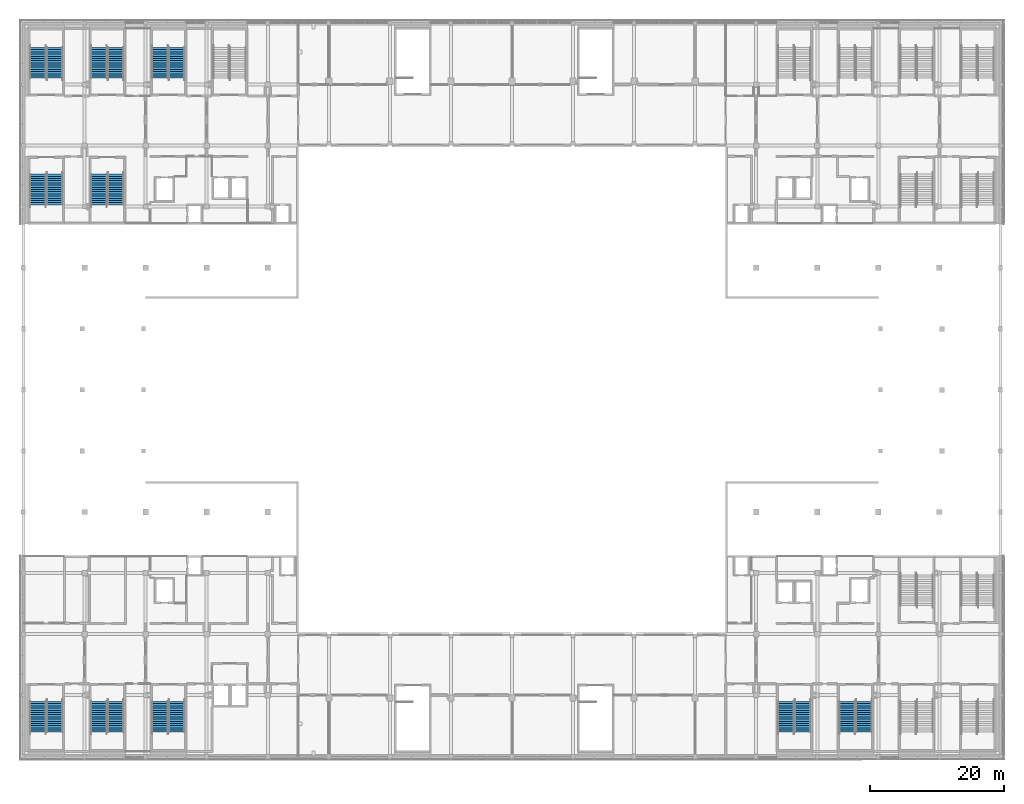
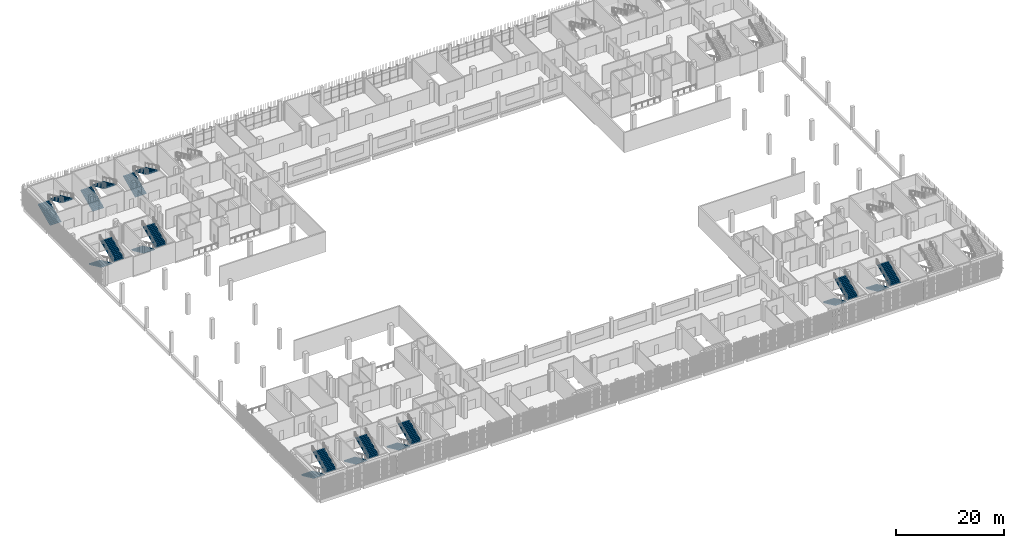
# One storey, part 69 of 104: 20 stair flights, 10 elements without a shape of their own.
"""IFC4 building model written with IfcOpenShell, lengths in metres."""

from ifc_helpers import new_model, si_unit, direction, frame, origin, place, context, subcontext, project, spatial, polyline, outline, extrude, material, type_object, element, aggregate, save


model = new_model("IFC4")

# Units and contexts
model_context = context("Model", 3, precision=1e-05, world=origin(), true_north=direction((0.0, 1.0)))
body_context = subcontext(model_context, "Body", "Model", "MODEL_VIEW")
ifc_project = project(units=[si_unit("LENGTHUNIT", "METRE"), si_unit("AREAUNIT", "SQUARE_METRE"), si_unit("VOLUMEUNIT", "CUBIC_METRE"), si_unit("PLANEANGLEUNIT", "RADIAN"), si_unit("MASSUNIT", "GRAM", prefix="KILO")], contexts=[model_context])

# Site, building, storey
site_placement = place(None, origin())
site = spatial("IfcSite", under=ifc_project, at=site_placement, CompositionType="ELEMENT")
building_placement = place(site_placement, origin())
building = spatial("IfcBuilding", under=site, at=building_placement, Name="Shirokan Park Arena", CompositionType="ELEMENT")
storey_placement = place(building_placement, frame((0.0, 0.0, 10.919921875)))
storey = spatial("IfcBuildingStorey", under=building, at=storey_placement, Name="L02", CompositionType="ELEMENT", Elevation=10.919921875)

# Stair, stair flights
ifc_material = material(Name="Concrete C30 precast", Category="concrete")
stair_type = type_object("IfcStairType", Name="Stair 30 risers 152 x 327 2400 wide", PredefinedType="TWO_STRAIGHT_RUN_STAIR", material=ifc_material)
stair_1_placement = place(storey_placement, origin())
stair_1 = element("IfcStair", 1, at=stair_1_placement, inside=storey, type_object=stair_type, Name="Exit Stair 1.A L02 to L03", PredefinedType="TWO_STRAIGHT_RUN_STAIR")
stair_flight_type = type_object("IfcStairFlightType", Name="Stair flight 15 risers 152 x 327 2400 wide", PredefinedType="STRAIGHT", material=ifc_material)
stair_flight_1_placement = place(storey_placement, frame((2.14990234375, 8.14990234375, 0.0), z_axis=(0.0, 0.0, 1.0), x_axis=(0.0, -1.0, 0.0)))
stair_flight_1 = element("IfcStairFlight", 2, at=stair_flight_1_placement, type_object=stair_flight_type, Name="ST01.3 flight 1", NumberOfRisers=15, NumberOfTreads=14, PredefinedType="STRAIGHT", RiserHeight=0.151666667, TreadLength=0.3267, context=body_context, shape_type="SweptSolid", body=[
    extrude(outline(polyline([(0.0, 0.0), (0.0, 0.151611328125), (0.32666015625, 0.151611328125), (0.32666015625, 0.30322265625), (0.6533203125, 0.30322265625), (0.6533203125, 0.455078125), (0.97998046875, 0.455078125), (0.97998046875, 0.606689453125), (1.306884765625, 0.606689453125), (1.306884765625, 0.75830078125), (1.633544921875, 0.75830078125), (1.633544921875, 0.909912109375), (1.960205078125, 0.909912109375), (1.960205078125, 1.061767578125), (2.286865234375, 1.061767578125), (2.286865234375, 1.21337890625), (2.613525390625, 1.21337890625), (2.613525390625, 1.364990234375), (2.940185546875, 1.364990234375), (2.940185546875, 1.5166015625), (3.26708984375, 1.5166015625), (3.26708984375, 1.668212890625), (3.59375, 1.668212890625), (3.59375, 1.820068359375), (3.92041015625, 1.820068359375), (3.92041015625, 1.9716796875), (4.2470703125, 1.9716796875), (4.2470703125, 2.123291015625), (4.57373046875, 2.123291015625), (4.57373046875, 2.27490234375), (4.57373046875, 1.9580078125), (0.35595703125, 0.0), (0.0, 0.0)])), frame((0.0, 1.199951171875, 0.0), z_axis=(0.0, -1.0, 0.0), x_axis=(1.0, 0.0, 0.0)), (0.0, 0.0, 1.0), 2.39990234375),
])
stair_flight_2_placement = place(storey_placement, frame((4.64990234375, 3.576171875, 2.275146484375), z_axis=(0.0, 0.0, 1.0), x_axis=(0.0, 1.0, 0.0)))
stair_flight_2 = element("IfcStairFlight", 3, at=stair_flight_2_placement, type_object=stair_flight_type, Name="ST01.3 flight 2", NumberOfRisers=15, NumberOfTreads=14, PredefinedType="STRAIGHT", RiserHeight=0.151666667, TreadLength=0.3267, context=body_context, shape_type="SweptSolid", body=[
    extrude(outline(polyline([(0.0, 0.0), (0.0, 0.151611328125), (0.32666015625, 0.151611328125), (0.32666015625, 0.30322265625), (0.6533203125, 0.30322265625), (0.6533203125, 0.455078125), (0.97998046875, 0.455078125), (0.97998046875, 0.606689453125), (1.306884765625, 0.606689453125), (1.306884765625, 0.75830078125), (1.633544921875, 0.75830078125), (1.633544921875, 0.909912109375), (1.960205078125, 0.909912109375), (1.960205078125, 1.061767578125), (2.286865234375, 1.061767578125), (2.286865234375, 1.21337890625), (2.613525390625, 1.21337890625), (2.613525390625, 1.364990234375), (2.940185546875, 1.364990234375), (2.940185546875, 1.5166015625), (3.26708984375, 1.5166015625), (3.26708984375, 1.668212890625), (3.59375, 1.668212890625), (3.59375, 1.820068359375), (3.92041015625, 1.820068359375), (3.92041015625, 1.9716796875), (4.2470703125, 1.9716796875), (4.2470703125, 2.123291015625), (4.57373046875, 2.123291015625), (4.57373046875, 2.27490234375), (4.57373046875, 1.9580078125), (0.35595703125, 0.0), (0.0, 0.0)])), frame((0.0, 1.199951171875, 0.0), z_axis=(0.0, -1.0, 0.0), x_axis=(1.0, 0.0, 0.0)), (0.0, 0.0, 1.0), 2.39990234375),
])
aggregate(stair_1, [stair_flight_1, stair_flight_2])

stair_2_placement = place(storey_placement, origin())
stair_2 = element("IfcStair", 4, at=stair_2_placement, inside=storey, type_object=stair_type, Name="Exit Stair 1.B L02 to L03", PredefinedType="TWO_STRAIGHT_RUN_STAIR")
stair_flight_3_placement = place(storey_placement, frame((11.25, 8.14990234375, 0.0), z_axis=(0.0, 0.0, 1.0), x_axis=(0.0, -1.0, 0.0)))
stair_flight_3 = element("IfcStairFlight", 5, at=stair_flight_3_placement, type_object=stair_flight_type, Name="ST02.3 flight 1", NumberOfRisers=15, NumberOfTreads=14, PredefinedType="STRAIGHT", RiserHeight=0.151666667, TreadLength=0.3267, context=body_context, shape_type="SweptSolid", body=[
    extrude(outline(polyline([(0.0, 0.0), (0.0, 0.151611328125), (0.32666015625, 0.151611328125), (0.32666015625, 0.30322265625), (0.6533203125, 0.30322265625), (0.6533203125, 0.455078125), (0.97998046875, 0.455078125), (0.97998046875, 0.606689453125), (1.306884765625, 0.606689453125), (1.306884765625, 0.75830078125), (1.633544921875, 0.75830078125), (1.633544921875, 0.909912109375), (1.960205078125, 0.909912109375), (1.960205078125, 1.061767578125), (2.286865234375, 1.061767578125), (2.286865234375, 1.21337890625), (2.613525390625, 1.21337890625), (2.613525390625, 1.364990234375), (2.940185546875, 1.364990234375), (2.940185546875, 1.5166015625), (3.26708984375, 1.5166015625), (3.26708984375, 1.668212890625), (3.59375, 1.668212890625), (3.59375, 1.820068359375), (3.92041015625, 1.820068359375), (3.92041015625, 1.9716796875), (4.2470703125, 1.9716796875), (4.2470703125, 2.123291015625), (4.57373046875, 2.123291015625), (4.57373046875, 2.27490234375), (4.57373046875, 1.9580078125), (0.35595703125, 0.0), (0.0, 0.0)])), frame((0.0, 1.199951171875, 0.0), z_axis=(0.0, -1.0, 0.0), x_axis=(1.0, 0.0, 0.0)), (0.0, 0.0, 1.0), 2.39990234375),
])
stair_flight_4_placement = place(storey_placement, frame((13.75, 3.576171875, 2.275146484375), z_axis=(0.0, 0.0, 1.0), x_axis=(0.0, 1.0, 0.0)))
stair_flight_4 = element("IfcStairFlight", 6, at=stair_flight_4_placement, type_object=stair_flight_type, Name="ST02.3 flight 2", NumberOfRisers=15, NumberOfTreads=14, PredefinedType="STRAIGHT", RiserHeight=0.151666667, TreadLength=0.3267, context=body_context, shape_type="SweptSolid", body=[
    extrude(outline(polyline([(0.0, 0.0), (0.0, 0.151611328125), (0.32666015625, 0.151611328125), (0.32666015625, 0.30322265625), (0.6533203125, 0.30322265625), (0.6533203125, 0.455078125), (0.97998046875, 0.455078125), (0.97998046875, 0.606689453125), (1.306884765625, 0.606689453125), (1.306884765625, 0.75830078125), (1.633544921875, 0.75830078125), (1.633544921875, 0.909912109375), (1.960205078125, 0.909912109375), (1.960205078125, 1.061767578125), (2.286865234375, 1.061767578125), (2.286865234375, 1.21337890625), (2.613525390625, 1.21337890625), (2.613525390625, 1.364990234375), (2.940185546875, 1.364990234375), (2.940185546875, 1.5166015625), (3.26708984375, 1.5166015625), (3.26708984375, 1.668212890625), (3.59375, 1.668212890625), (3.59375, 1.820068359375), (3.92041015625, 1.820068359375), (3.92041015625, 1.9716796875), (4.2470703125, 1.9716796875), (4.2470703125, 2.123291015625), (4.57373046875, 2.123291015625), (4.57373046875, 2.27490234375), (4.57373046875, 1.9580078125), (0.35595703125, 0.0), (0.0, 0.0)])), frame((0.0, 1.199951171875, 0.0), z_axis=(0.0, -1.0, 0.0), x_axis=(1.0, 0.0, 0.0)), (0.0, 0.0, 1.0), 2.39990234375),
])
aggregate(stair_2, [stair_flight_3, stair_flight_4])

stair_3_placement = place(storey_placement, origin())
stair_3 = element("IfcStair", 7, at=stair_3_placement, inside=storey, type_object=stair_type, Name="Exit Stair 1.C L02 to L03", PredefinedType="TWO_STRAIGHT_RUN_STAIR")
stair_flight_5_placement = place(storey_placement, frame((20.35009765625, 8.14990234375, 0.0), z_axis=(0.0, 0.0, 1.0), x_axis=(0.0, -1.0, 0.0)))
stair_flight_5 = element("IfcStairFlight", 8, at=stair_flight_5_placement, type_object=stair_flight_type, Name="ST03.3 flight 1", NumberOfRisers=15, NumberOfTreads=14, PredefinedType="STRAIGHT", RiserHeight=0.151666667, TreadLength=0.3267, context=body_context, shape_type="SweptSolid", body=[
    extrude(outline(polyline([(0.0, 0.0), (0.0, 0.151611328125), (0.32666015625, 0.151611328125), (0.32666015625, 0.30322265625), (0.6533203125, 0.30322265625), (0.6533203125, 0.455078125), (0.97998046875, 0.455078125), (0.97998046875, 0.606689453125), (1.306884765625, 0.606689453125), (1.306884765625, 0.75830078125), (1.633544921875, 0.75830078125), (1.633544921875, 0.909912109375), (1.960205078125, 0.909912109375), (1.960205078125, 1.061767578125), (2.286865234375, 1.061767578125), (2.286865234375, 1.21337890625), (2.613525390625, 1.21337890625), (2.613525390625, 1.364990234375), (2.940185546875, 1.364990234375), (2.940185546875, 1.5166015625), (3.26708984375, 1.5166015625), (3.26708984375, 1.668212890625), (3.59375, 1.668212890625), (3.59375, 1.820068359375), (3.92041015625, 1.820068359375), (3.92041015625, 1.9716796875), (4.2470703125, 1.9716796875), (4.2470703125, 2.123291015625), (4.57373046875, 2.123291015625), (4.57373046875, 2.27490234375), (4.57373046875, 1.9580078125), (0.35595703125, 0.0), (0.0, 0.0)])), frame((0.0, 1.199951171875, 0.0), z_axis=(0.0, -1.0, 0.0), x_axis=(1.0, 0.0, 0.0)), (0.0, 0.0, 1.0), 2.39990234375),
])
stair_flight_6_placement = place(storey_placement, frame((22.85009765625, 3.576171875, 2.275146484375), z_axis=(0.0, 0.0, 1.0), x_axis=(0.0, 1.0, 0.0)))
stair_flight_6 = element("IfcStairFlight", 9, at=stair_flight_6_placement, type_object=stair_flight_type, Name="ST03.3 flight 2", NumberOfRisers=15, NumberOfTreads=14, PredefinedType="STRAIGHT", RiserHeight=0.151666667, TreadLength=0.3267, context=body_context, shape_type="SweptSolid", body=[
    extrude(outline(polyline([(0.0, 0.0), (0.0, 0.151611328125), (0.32666015625, 0.151611328125), (0.32666015625, 0.30322265625), (0.6533203125, 0.30322265625), (0.6533203125, 0.455078125), (0.97998046875, 0.455078125), (0.97998046875, 0.606689453125), (1.306884765625, 0.606689453125), (1.306884765625, 0.75830078125), (1.633544921875, 0.75830078125), (1.633544921875, 0.909912109375), (1.960205078125, 0.909912109375), (1.960205078125, 1.061767578125), (2.286865234375, 1.061767578125), (2.286865234375, 1.21337890625), (2.613525390625, 1.21337890625), (2.613525390625, 1.364990234375), (2.940185546875, 1.364990234375), (2.940185546875, 1.5166015625), (3.26708984375, 1.5166015625), (3.26708984375, 1.668212890625), (3.59375, 1.668212890625), (3.59375, 1.820068359375), (3.92041015625, 1.820068359375), (3.92041015625, 1.9716796875), (4.2470703125, 1.9716796875), (4.2470703125, 2.123291015625), (4.57373046875, 2.123291015625), (4.57373046875, 2.27490234375), (4.57373046875, 1.9580078125), (0.35595703125, 0.0), (0.0, 0.0)])), frame((0.0, 1.199951171875, 0.0), z_axis=(0.0, -1.0, 0.0), x_axis=(1.0, 0.0, 0.0)), (0.0, 0.0, 1.0), 2.39990234375),
])
aggregate(stair_3, [stair_flight_5, stair_flight_6])

stair_4_placement = place(storey_placement, origin())
stair_4 = element("IfcStair", 10, at=stair_4_placement, inside=storey, type_object=stair_type, Name="Exit Stair 2.C L02 to L03", PredefinedType="TWO_STRAIGHT_RUN_STAIR")
stair_flight_7_placement = place(storey_placement, frame((122.75, 8.14990234375, 0.0), z_axis=(0.0, 0.0, 1.0), x_axis=(0.0, -1.0, 0.0)))
stair_flight_7 = element("IfcStairFlight", 11, at=stair_flight_7_placement, type_object=stair_flight_type, Name="ST06.3 flight 1", NumberOfRisers=15, NumberOfTreads=14, PredefinedType="STRAIGHT", RiserHeight=0.151666667, TreadLength=0.3267, context=body_context, shape_type="SweptSolid", body=[
    extrude(outline(polyline([(0.0, 0.0), (0.0, 0.151611328125), (0.32666015625, 0.151611328125), (0.32666015625, 0.30322265625), (0.6533203125, 0.30322265625), (0.6533203125, 0.455078125), (0.97998046875, 0.455078125), (0.97998046875, 0.606689453125), (1.306884765625, 0.606689453125), (1.306884765625, 0.75830078125), (1.633544921875, 0.75830078125), (1.633544921875, 0.909912109375), (1.960205078125, 0.909912109375), (1.960205078125, 1.061767578125), (2.286865234375, 1.061767578125), (2.286865234375, 1.21337890625), (2.613525390625, 1.21337890625), (2.613525390625, 1.364990234375), (2.940185546875, 1.364990234375), (2.940185546875, 1.5166015625), (3.26708984375, 1.5166015625), (3.26708984375, 1.668212890625), (3.59375, 1.668212890625), (3.59375, 1.820068359375), (3.92041015625, 1.820068359375), (3.92041015625, 1.9716796875), (4.2470703125, 1.9716796875), (4.2470703125, 2.123291015625), (4.57373046875, 2.123291015625), (4.57373046875, 2.27490234375), (4.57373046875, 1.9580078125), (0.35595703125, 0.0), (0.0, 0.0)])), frame((0.0, 1.199951171875, 0.0), z_axis=(0.0, -1.0, 0.0), x_axis=(1.0, 0.0, 0.0)), (0.0, 0.0, 1.0), 2.39990234375),
])
stair_flight_8_placement = place(storey_placement, frame((125.25, 3.576171875, 2.275146484375), z_axis=(0.0, 0.0, 1.0), x_axis=(0.0, 1.0, 0.0)))
stair_flight_8 = element("IfcStairFlight", 12, at=stair_flight_8_placement, type_object=stair_flight_type, Name="ST06.3 flight 2", NumberOfRisers=15, NumberOfTreads=14, PredefinedType="STRAIGHT", RiserHeight=0.151666667, TreadLength=0.3267, context=body_context, shape_type="SweptSolid", body=[
    extrude(outline(polyline([(0.0, 0.0), (0.0, 0.151611328125), (0.32666015625, 0.151611328125), (0.32666015625, 0.30322265625), (0.6533203125, 0.30322265625), (0.6533203125, 0.455078125), (0.97998046875, 0.455078125), (0.97998046875, 0.606689453125), (1.306884765625, 0.606689453125), (1.306884765625, 0.75830078125), (1.633544921875, 0.75830078125), (1.633544921875, 0.909912109375), (1.960205078125, 0.909912109375), (1.960205078125, 1.061767578125), (2.286865234375, 1.061767578125), (2.286865234375, 1.21337890625), (2.613525390625, 1.21337890625), (2.613525390625, 1.364990234375), (2.940185546875, 1.364990234375), (2.940185546875, 1.5166015625), (3.26708984375, 1.5166015625), (3.26708984375, 1.668212890625), (3.59375, 1.668212890625), (3.59375, 1.820068359375), (3.92041015625, 1.820068359375), (3.92041015625, 1.9716796875), (4.2470703125, 1.9716796875), (4.2470703125, 2.123291015625), (4.57373046875, 2.123291015625), (4.57373046875, 2.27490234375), (4.57373046875, 1.9580078125), (0.35595703125, 0.0), (0.0, 0.0)])), frame((0.0, 1.199951171875, 0.0), z_axis=(0.0, -1.0, 0.0), x_axis=(1.0, 0.0, 0.0)), (0.0, 0.0, 1.0), 2.39990234375),
])
aggregate(stair_4, [stair_flight_7, stair_flight_8])

stair_5_placement = place(storey_placement, origin())
stair_5 = element("IfcStair", 13, at=stair_5_placement, inside=storey, type_object=stair_type, Name="Exit Stair 2.D L02 to L03", PredefinedType="TWO_STRAIGHT_RUN_STAIR")
stair_flight_9_placement = place(storey_placement, frame((113.64990234375, 8.14990234375, 0.0), z_axis=(0.0, 0.0, 1.0), x_axis=(0.0, -1.0, 0.0)))
stair_flight_9 = element("IfcStairFlight", 14, at=stair_flight_9_placement, type_object=stair_flight_type, Name="ST07.3 flight 1", NumberOfRisers=15, NumberOfTreads=14, PredefinedType="STRAIGHT", RiserHeight=0.151666667, TreadLength=0.3267, context=body_context, shape_type="SweptSolid", body=[
    extrude(outline(polyline([(0.0, 0.0), (0.0, 0.151611328125), (0.32666015625, 0.151611328125), (0.32666015625, 0.30322265625), (0.6533203125, 0.30322265625), (0.6533203125, 0.455078125), (0.97998046875, 0.455078125), (0.97998046875, 0.606689453125), (1.306884765625, 0.606689453125), (1.306884765625, 0.75830078125), (1.633544921875, 0.75830078125), (1.633544921875, 0.909912109375), (1.960205078125, 0.909912109375), (1.960205078125, 1.061767578125), (2.286865234375, 1.061767578125), (2.286865234375, 1.21337890625), (2.613525390625, 1.21337890625), (2.613525390625, 1.364990234375), (2.940185546875, 1.364990234375), (2.940185546875, 1.5166015625), (3.26708984375, 1.5166015625), (3.26708984375, 1.668212890625), (3.59375, 1.668212890625), (3.59375, 1.820068359375), (3.92041015625, 1.820068359375), (3.92041015625, 1.9716796875), (4.2470703125, 1.9716796875), (4.2470703125, 2.123291015625), (4.57373046875, 2.123291015625), (4.57373046875, 2.27490234375), (4.57373046875, 1.9580078125), (0.35595703125, 0.0), (0.0, 0.0)])), frame((0.0, 1.199951171875, 0.0), z_axis=(0.0, -1.0, 0.0), x_axis=(1.0, 0.0, 0.0)), (0.0, 0.0, 1.0), 2.39990234375),
])
stair_flight_10_placement = place(storey_placement, frame((116.14990234375, 3.576171875, 2.275146484375), z_axis=(0.0, 0.0, 1.0), x_axis=(0.0, 1.0, 0.0)))
stair_flight_10 = element("IfcStairFlight", 15, at=stair_flight_10_placement, type_object=stair_flight_type, Name="ST07.3 flight 2", NumberOfRisers=15, NumberOfTreads=14, PredefinedType="STRAIGHT", RiserHeight=0.151666667, TreadLength=0.3267, context=body_context, shape_type="SweptSolid", body=[
    extrude(outline(polyline([(0.0, 0.0), (0.0, 0.151611328125), (0.32666015625, 0.151611328125), (0.32666015625, 0.30322265625), (0.6533203125, 0.30322265625), (0.6533203125, 0.455078125), (0.97998046875, 0.455078125), (0.97998046875, 0.606689453125), (1.306884765625, 0.606689453125), (1.306884765625, 0.75830078125), (1.633544921875, 0.75830078125), (1.633544921875, 0.909912109375), (1.960205078125, 0.909912109375), (1.960205078125, 1.061767578125), (2.286865234375, 1.061767578125), (2.286865234375, 1.21337890625), (2.613525390625, 1.21337890625), (2.613525390625, 1.364990234375), (2.940185546875, 1.364990234375), (2.940185546875, 1.5166015625), (3.26708984375, 1.5166015625), (3.26708984375, 1.668212890625), (3.59375, 1.668212890625), (3.59375, 1.820068359375), (3.92041015625, 1.820068359375), (3.92041015625, 1.9716796875), (4.2470703125, 1.9716796875), (4.2470703125, 2.123291015625), (4.57373046875, 2.123291015625), (4.57373046875, 2.27490234375), (4.57373046875, 1.9580078125), (0.35595703125, 0.0), (0.0, 0.0)])), frame((0.0, 1.199951171875, 0.0), z_axis=(0.0, -1.0, 0.0), x_axis=(1.0, 0.0, 0.0)), (0.0, 0.0, 1.0), 2.39990234375),
])
aggregate(stair_5, [stair_flight_9, stair_flight_10])

stair_6_placement = place(storey_placement, origin())
stair_6 = element("IfcStair", 16, at=stair_6_placement, inside=storey, type_object=stair_type, Name="Exit Stair 4.A L02 to L03", PredefinedType="TWO_STRAIGHT_RUN_STAIR")
stair_flight_11_placement = place(storey_placement, frame((2.14990234375, 101.050048828125, 0.0), z_axis=(0.0, 0.0, 1.0), x_axis=(0.0, 1.0, 0.0)))
stair_flight_11 = element("IfcStairFlight", 17, at=stair_flight_11_placement, type_object=stair_flight_type, Name="ST10.3 flight 1", NumberOfRisers=15, NumberOfTreads=14, PredefinedType="STRAIGHT", RiserHeight=0.151666667, TreadLength=0.3267, context=body_context, shape_type="SweptSolid", body=[
    extrude(outline(polyline([(0.0, 0.0), (0.0, 0.151611328125), (0.32666015625, 0.151611328125), (0.32666015625, 0.30322265625), (0.6533203125, 0.30322265625), (0.6533203125, 0.455078125), (0.97998046875, 0.455078125), (0.97998046875, 0.606689453125), (1.306884765625, 0.606689453125), (1.306884765625, 0.75830078125), (1.633544921875, 0.75830078125), (1.633544921875, 0.909912109375), (1.960205078125, 0.909912109375), (1.960205078125, 1.061767578125), (2.286865234375, 1.061767578125), (2.286865234375, 1.21337890625), (2.613525390625, 1.21337890625), (2.613525390625, 1.364990234375), (2.940185546875, 1.364990234375), (2.940185546875, 1.5166015625), (3.26708984375, 1.5166015625), (3.26708984375, 1.668212890625), (3.59375, 1.668212890625), (3.59375, 1.820068359375), (3.92041015625, 1.820068359375), (3.92041015625, 1.9716796875), (4.2470703125, 1.9716796875), (4.2470703125, 2.123291015625), (4.57373046875, 2.123291015625), (4.57373046875, 2.27490234375), (4.57373046875, 1.9580078125), (0.35595703125, 0.0), (0.0, 0.0)])), frame((0.0, 1.199951171875, 0.0), z_axis=(0.0, -1.0, 0.0), x_axis=(1.0, 0.0, 0.0)), (0.0, 0.0, 1.0), 2.39990234375),
])
stair_flight_12_placement = place(storey_placement, frame((4.64990234375, 105.623779296875, 2.275146484375), z_axis=(0.0, 0.0, 1.0), x_axis=(0.0, -1.0, 0.0)))
stair_flight_12 = element("IfcStairFlight", 18, at=stair_flight_12_placement, type_object=stair_flight_type, Name="ST10.3 flight 2", NumberOfRisers=15, NumberOfTreads=14, PredefinedType="STRAIGHT", RiserHeight=0.151666667, TreadLength=0.3267, context=body_context, shape_type="SweptSolid", body=[
    extrude(outline(polyline([(0.0, 0.0), (0.0, 0.151611328125), (0.32666015625, 0.151611328125), (0.32666015625, 0.30322265625), (0.6533203125, 0.30322265625), (0.6533203125, 0.455078125), (0.97998046875, 0.455078125), (0.97998046875, 0.606689453125), (1.306884765625, 0.606689453125), (1.306884765625, 0.75830078125), (1.633544921875, 0.75830078125), (1.633544921875, 0.909912109375), (1.960205078125, 0.909912109375), (1.960205078125, 1.061767578125), (2.286865234375, 1.061767578125), (2.286865234375, 1.21337890625), (2.613525390625, 1.21337890625), (2.613525390625, 1.364990234375), (2.940185546875, 1.364990234375), (2.940185546875, 1.5166015625), (3.26708984375, 1.5166015625), (3.26708984375, 1.668212890625), (3.59375, 1.668212890625), (3.59375, 1.820068359375), (3.92041015625, 1.820068359375), (3.92041015625, 1.9716796875), (4.2470703125, 1.9716796875), (4.2470703125, 2.123291015625), (4.57373046875, 2.123291015625), (4.57373046875, 2.27490234375), (4.57373046875, 1.9580078125), (0.35595703125, 0.0), (0.0, 0.0)])), frame((0.0, 1.199951171875, 0.0), z_axis=(0.0, -1.0, 0.0), x_axis=(1.0, 0.0, 0.0)), (0.0, 0.0, 1.0), 2.39990234375),
])
aggregate(stair_6, [stair_flight_11, stair_flight_12])

stair_7_placement = place(storey_placement, origin())
stair_7 = element("IfcStair", 19, at=stair_7_placement, inside=storey, type_object=stair_type, Name="Exit Stair 4.B L02 to L03", PredefinedType="TWO_STRAIGHT_RUN_STAIR")
stair_flight_13_placement = place(storey_placement, frame((11.25, 101.050048828125, 0.0), z_axis=(0.0, 0.0, 1.0), x_axis=(0.0, 1.0, 0.0)))
stair_flight_13 = element("IfcStairFlight", 20, at=stair_flight_13_placement, type_object=stair_flight_type, Name="ST11.3 flight 1", NumberOfRisers=15, NumberOfTreads=14, PredefinedType="STRAIGHT", RiserHeight=0.151666667, TreadLength=0.3267, context=body_context, shape_type="SweptSolid", body=[
    extrude(outline(polyline([(0.0, 0.0), (0.0, 0.151611328125), (0.32666015625, 0.151611328125), (0.32666015625, 0.30322265625), (0.6533203125, 0.30322265625), (0.6533203125, 0.455078125), (0.97998046875, 0.455078125), (0.97998046875, 0.606689453125), (1.306884765625, 0.606689453125), (1.306884765625, 0.75830078125), (1.633544921875, 0.75830078125), (1.633544921875, 0.909912109375), (1.960205078125, 0.909912109375), (1.960205078125, 1.061767578125), (2.286865234375, 1.061767578125), (2.286865234375, 1.21337890625), (2.613525390625, 1.21337890625), (2.613525390625, 1.364990234375), (2.940185546875, 1.364990234375), (2.940185546875, 1.5166015625), (3.26708984375, 1.5166015625), (3.26708984375, 1.668212890625), (3.59375, 1.668212890625), (3.59375, 1.820068359375), (3.92041015625, 1.820068359375), (3.92041015625, 1.9716796875), (4.2470703125, 1.9716796875), (4.2470703125, 2.123291015625), (4.57373046875, 2.123291015625), (4.57373046875, 2.27490234375), (4.57373046875, 1.9580078125), (0.35595703125, 0.0), (0.0, 0.0)])), frame((0.0, 1.199951171875, 0.0), z_axis=(0.0, -1.0, 0.0), x_axis=(1.0, 0.0, 0.0)), (0.0, 0.0, 1.0), 2.39990234375),
])
stair_flight_14_placement = place(storey_placement, frame((13.75, 105.623779296875, 2.275146484375), z_axis=(0.0, 0.0, 1.0), x_axis=(0.0, -1.0, 0.0)))
stair_flight_14 = element("IfcStairFlight", 21, at=stair_flight_14_placement, type_object=stair_flight_type, Name="ST11.3 flight 2", NumberOfRisers=15, NumberOfTreads=14, PredefinedType="STRAIGHT", RiserHeight=0.151666667, TreadLength=0.3267, context=body_context, shape_type="SweptSolid", body=[
    extrude(outline(polyline([(0.0, 0.0), (0.0, 0.151611328125), (0.32666015625, 0.151611328125), (0.32666015625, 0.30322265625), (0.6533203125, 0.30322265625), (0.6533203125, 0.455078125), (0.97998046875, 0.455078125), (0.97998046875, 0.606689453125), (1.306884765625, 0.606689453125), (1.306884765625, 0.75830078125), (1.633544921875, 0.75830078125), (1.633544921875, 0.909912109375), (1.960205078125, 0.909912109375), (1.960205078125, 1.061767578125), (2.286865234375, 1.061767578125), (2.286865234375, 1.21337890625), (2.613525390625, 1.21337890625), (2.613525390625, 1.364990234375), (2.940185546875, 1.364990234375), (2.940185546875, 1.5166015625), (3.26708984375, 1.5166015625), (3.26708984375, 1.668212890625), (3.59375, 1.668212890625), (3.59375, 1.820068359375), (3.92041015625, 1.820068359375), (3.92041015625, 1.9716796875), (4.2470703125, 1.9716796875), (4.2470703125, 2.123291015625), (4.57373046875, 2.123291015625), (4.57373046875, 2.27490234375), (4.57373046875, 1.9580078125), (0.35595703125, 0.0), (0.0, 0.0)])), frame((0.0, 1.199951171875, 0.0), z_axis=(0.0, -1.0, 0.0), x_axis=(1.0, 0.0, 0.0)), (0.0, 0.0, 1.0), 2.39990234375),
])
aggregate(stair_7, [stair_flight_13, stair_flight_14])

stair_8_placement = place(storey_placement, origin())
stair_8 = element("IfcStair", 22, at=stair_8_placement, inside=storey, type_object=stair_type, Name="Exit Stair 4.C L02 to L03", PredefinedType="TWO_STRAIGHT_RUN_STAIR")
stair_flight_15_placement = place(storey_placement, frame((20.35009765625, 101.050048828125, 0.0), z_axis=(0.0, 0.0, 1.0), x_axis=(0.0, 1.0, 0.0)))
stair_flight_15 = element("IfcStairFlight", 23, at=stair_flight_15_placement, type_object=stair_flight_type, Name="ST12.3 flight 1", NumberOfRisers=15, NumberOfTreads=14, PredefinedType="STRAIGHT", RiserHeight=0.151666667, TreadLength=0.3267, context=body_context, shape_type="SweptSolid", body=[
    extrude(outline(polyline([(0.0, 0.0), (0.0, 0.151611328125), (0.32666015625, 0.151611328125), (0.32666015625, 0.30322265625), (0.6533203125, 0.30322265625), (0.6533203125, 0.455078125), (0.97998046875, 0.455078125), (0.97998046875, 0.606689453125), (1.306884765625, 0.606689453125), (1.306884765625, 0.75830078125), (1.633544921875, 0.75830078125), (1.633544921875, 0.909912109375), (1.960205078125, 0.909912109375), (1.960205078125, 1.061767578125), (2.286865234375, 1.061767578125), (2.286865234375, 1.21337890625), (2.613525390625, 1.21337890625), (2.613525390625, 1.364990234375), (2.940185546875, 1.364990234375), (2.940185546875, 1.5166015625), (3.26708984375, 1.5166015625), (3.26708984375, 1.668212890625), (3.59375, 1.668212890625), (3.59375, 1.820068359375), (3.92041015625, 1.820068359375), (3.92041015625, 1.9716796875), (4.2470703125, 1.9716796875), (4.2470703125, 2.123291015625), (4.57373046875, 2.123291015625), (4.57373046875, 2.27490234375), (4.57373046875, 1.9580078125), (0.35595703125, 0.0), (0.0, 0.0)])), frame((0.0, 1.199951171875, 0.0), z_axis=(0.0, -1.0, 0.0), x_axis=(1.0, 0.0, 0.0)), (0.0, 0.0, 1.0), 2.39990234375),
])
stair_flight_16_placement = place(storey_placement, frame((22.85009765625, 105.623779296875, 2.275146484375), z_axis=(0.0, 0.0, 1.0), x_axis=(0.0, -1.0, 0.0)))
stair_flight_16 = element("IfcStairFlight", 24, at=stair_flight_16_placement, type_object=stair_flight_type, Name="ST12.3 flight 2", NumberOfRisers=15, NumberOfTreads=14, PredefinedType="STRAIGHT", RiserHeight=0.151666667, TreadLength=0.3267, context=body_context, shape_type="SweptSolid", body=[
    extrude(outline(polyline([(0.0, 0.0), (0.0, 0.151611328125), (0.32666015625, 0.151611328125), (0.32666015625, 0.30322265625), (0.6533203125, 0.30322265625), (0.6533203125, 0.455078125), (0.97998046875, 0.455078125), (0.97998046875, 0.606689453125), (1.306884765625, 0.606689453125), (1.306884765625, 0.75830078125), (1.633544921875, 0.75830078125), (1.633544921875, 0.909912109375), (1.960205078125, 0.909912109375), (1.960205078125, 1.061767578125), (2.286865234375, 1.061767578125), (2.286865234375, 1.21337890625), (2.613525390625, 1.21337890625), (2.613525390625, 1.364990234375), (2.940185546875, 1.364990234375), (2.940185546875, 1.5166015625), (3.26708984375, 1.5166015625), (3.26708984375, 1.668212890625), (3.59375, 1.668212890625), (3.59375, 1.820068359375), (3.92041015625, 1.820068359375), (3.92041015625, 1.9716796875), (4.2470703125, 1.9716796875), (4.2470703125, 2.123291015625), (4.57373046875, 2.123291015625), (4.57373046875, 2.27490234375), (4.57373046875, 1.9580078125), (0.35595703125, 0.0), (0.0, 0.0)])), frame((0.0, 1.199951171875, 0.0), z_axis=(0.0, -1.0, 0.0), x_axis=(1.0, 0.0, 0.0)), (0.0, 0.0, 1.0), 2.39990234375),
])
aggregate(stair_8, [stair_flight_15, stair_flight_16])

stair_9_placement = place(storey_placement, origin())
stair_9 = element("IfcStair", 25, at=stair_9_placement, inside=storey, type_object=stair_type, Name="Exit Stair 4.E L02 to L03", PredefinedType="TWO_STRAIGHT_RUN_STAIR")
stair_flight_17_placement = place(storey_placement, frame((2.14990234375, 86.75, 0.0), z_axis=(0.0, 0.0, 1.0), x_axis=(0.0, -1.0, 0.0)))
stair_flight_17 = element("IfcStairFlight", 26, at=stair_flight_17_placement, type_object=stair_flight_type, Name="ST14.3 flight 1", NumberOfRisers=15, NumberOfTreads=14, PredefinedType="STRAIGHT", RiserHeight=0.151666667, TreadLength=0.3267, context=body_context, shape_type="SweptSolid", body=[
    extrude(outline(polyline([(0.0, 0.0), (0.0, 0.151611328125), (0.32666015625, 0.151611328125), (0.32666015625, 0.30322265625), (0.6533203125, 0.30322265625), (0.6533203125, 0.455078125), (0.97998046875, 0.455078125), (0.97998046875, 0.606689453125), (1.306884765625, 0.606689453125), (1.306884765625, 0.75830078125), (1.633544921875, 0.75830078125), (1.633544921875, 0.909912109375), (1.960205078125, 0.909912109375), (1.960205078125, 1.061767578125), (2.286865234375, 1.061767578125), (2.286865234375, 1.21337890625), (2.613525390625, 1.21337890625), (2.613525390625, 1.364990234375), (2.940185546875, 1.364990234375), (2.940185546875, 1.5166015625), (3.26708984375, 1.5166015625), (3.26708984375, 1.668212890625), (3.59375, 1.668212890625), (3.59375, 1.820068359375), (3.92041015625, 1.820068359375), (3.92041015625, 1.9716796875), (4.2470703125, 1.9716796875), (4.2470703125, 2.123291015625), (4.57373046875, 2.123291015625), (4.57373046875, 2.27490234375), (4.57373046875, 1.9580078125), (0.35595703125, 0.0), (0.0, 0.0)])), frame((0.0, 1.199951171875, 0.0), z_axis=(0.0, -1.0, 0.0), x_axis=(1.0, 0.0, 0.0)), (0.0, 0.0, 1.0), 2.39990234375),
])
stair_flight_18_placement = place(storey_placement, frame((4.64990234375, 82.17626953125, 2.275146484375), z_axis=(0.0, 0.0, 1.0), x_axis=(0.0, 1.0, 0.0)))
stair_flight_18 = element("IfcStairFlight", 27, at=stair_flight_18_placement, type_object=stair_flight_type, Name="ST14.3 flight 2", NumberOfRisers=15, NumberOfTreads=14, PredefinedType="STRAIGHT", RiserHeight=0.151666667, TreadLength=0.3267, context=body_context, shape_type="SweptSolid", body=[
    extrude(outline(polyline([(0.0, 0.0), (0.0, 0.151611328125), (0.32666015625, 0.151611328125), (0.32666015625, 0.30322265625), (0.6533203125, 0.30322265625), (0.6533203125, 0.455078125), (0.97998046875, 0.455078125), (0.97998046875, 0.606689453125), (1.306884765625, 0.606689453125), (1.306884765625, 0.75830078125), (1.633544921875, 0.75830078125), (1.633544921875, 0.909912109375), (1.960205078125, 0.909912109375), (1.960205078125, 1.061767578125), (2.286865234375, 1.061767578125), (2.286865234375, 1.21337890625), (2.613525390625, 1.21337890625), (2.613525390625, 1.364990234375), (2.940185546875, 1.364990234375), (2.940185546875, 1.5166015625), (3.26708984375, 1.5166015625), (3.26708984375, 1.668212890625), (3.59375, 1.668212890625), (3.59375, 1.820068359375), (3.92041015625, 1.820068359375), (3.92041015625, 1.9716796875), (4.2470703125, 1.9716796875), (4.2470703125, 2.123291015625), (4.57373046875, 2.123291015625), (4.57373046875, 2.27490234375), (4.57373046875, 1.9580078125), (0.35595703125, 0.0), (0.0, 0.0)])), frame((0.0, 1.199951171875, 0.0), z_axis=(0.0, -1.0, 0.0), x_axis=(1.0, 0.0, 0.0)), (0.0, 0.0, 1.0), 2.39990234375),
])
aggregate(stair_9, [stair_flight_17, stair_flight_18])

stair_10_placement = place(storey_placement, origin())
stair_10 = element("IfcStair", 28, at=stair_10_placement, inside=storey, type_object=stair_type, Name="Exit Stair 4.F L02 to L03", PredefinedType="TWO_STRAIGHT_RUN_STAIR")
stair_flight_19_placement = place(storey_placement, frame((11.25, 86.75, 0.0), z_axis=(0.0, 0.0, 1.0), x_axis=(0.0, -1.0, 0.0)))
stair_flight_19 = element("IfcStairFlight", 29, at=stair_flight_19_placement, type_object=stair_flight_type, Name="ST15.3 flight 1", NumberOfRisers=15, NumberOfTreads=14, PredefinedType="STRAIGHT", RiserHeight=0.151666667, TreadLength=0.3267, context=body_context, shape_type="SweptSolid", body=[
    extrude(outline(polyline([(0.0, 0.0), (0.0, 0.151611328125), (0.32666015625, 0.151611328125), (0.32666015625, 0.30322265625), (0.6533203125, 0.30322265625), (0.6533203125, 0.455078125), (0.97998046875, 0.455078125), (0.97998046875, 0.606689453125), (1.306884765625, 0.606689453125), (1.306884765625, 0.75830078125), (1.633544921875, 0.75830078125), (1.633544921875, 0.909912109375), (1.960205078125, 0.909912109375), (1.960205078125, 1.061767578125), (2.286865234375, 1.061767578125), (2.286865234375, 1.21337890625), (2.613525390625, 1.21337890625), (2.613525390625, 1.364990234375), (2.940185546875, 1.364990234375), (2.940185546875, 1.5166015625), (3.26708984375, 1.5166015625), (3.26708984375, 1.668212890625), (3.59375, 1.668212890625), (3.59375, 1.820068359375), (3.92041015625, 1.820068359375), (3.92041015625, 1.9716796875), (4.2470703125, 1.9716796875), (4.2470703125, 2.123291015625), (4.57373046875, 2.123291015625), (4.57373046875, 2.27490234375), (4.57373046875, 1.9580078125), (0.35595703125, 0.0), (0.0, 0.0)])), frame((0.0, 1.199951171875, 0.0), z_axis=(0.0, -1.0, 0.0), x_axis=(1.0, 0.0, 0.0)), (0.0, 0.0, 1.0), 2.39990234375),
])
stair_flight_20_placement = place(storey_placement, frame((13.75, 82.17626953125, 2.275146484375), z_axis=(0.0, 0.0, 1.0), x_axis=(0.0, 1.0, 0.0)))
stair_flight_20 = element("IfcStairFlight", 30, at=stair_flight_20_placement, type_object=stair_flight_type, Name="ST15.3 flight 2", NumberOfRisers=15, NumberOfTreads=14, PredefinedType="STRAIGHT", RiserHeight=0.151666667, TreadLength=0.3267, context=body_context, shape_type="SweptSolid", body=[
    extrude(outline(polyline([(0.0, 0.0), (0.0, 0.151611328125), (0.32666015625, 0.151611328125), (0.32666015625, 0.30322265625), (0.6533203125, 0.30322265625), (0.6533203125, 0.455078125), (0.97998046875, 0.455078125), (0.97998046875, 0.606689453125), (1.306884765625, 0.606689453125), (1.306884765625, 0.75830078125), (1.633544921875, 0.75830078125), (1.633544921875, 0.909912109375), (1.960205078125, 0.909912109375), (1.960205078125, 1.061767578125), (2.286865234375, 1.061767578125), (2.286865234375, 1.21337890625), (2.613525390625, 1.21337890625), (2.613525390625, 1.364990234375), (2.940185546875, 1.364990234375), (2.940185546875, 1.5166015625), (3.26708984375, 1.5166015625), (3.26708984375, 1.668212890625), (3.59375, 1.668212890625), (3.59375, 1.820068359375), (3.92041015625, 1.820068359375), (3.92041015625, 1.9716796875), (4.2470703125, 1.9716796875), (4.2470703125, 2.123291015625), (4.57373046875, 2.123291015625), (4.57373046875, 2.27490234375), (4.57373046875, 1.9580078125), (0.35595703125, 0.0), (0.0, 0.0)])), frame((0.0, 1.199951171875, 0.0), z_axis=(0.0, -1.0, 0.0), x_axis=(1.0, 0.0, 0.0)), (0.0, 0.0, 1.0), 2.39990234375),
])
aggregate(stair_10, [stair_flight_19, stair_flight_20])

save(model, "model.ifc")
